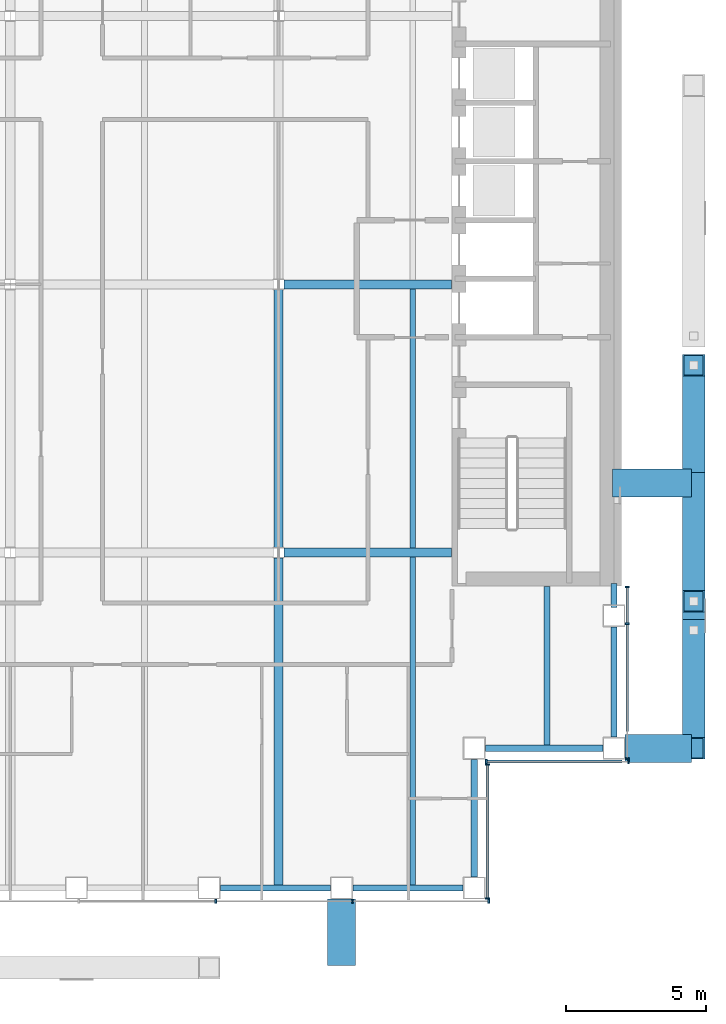
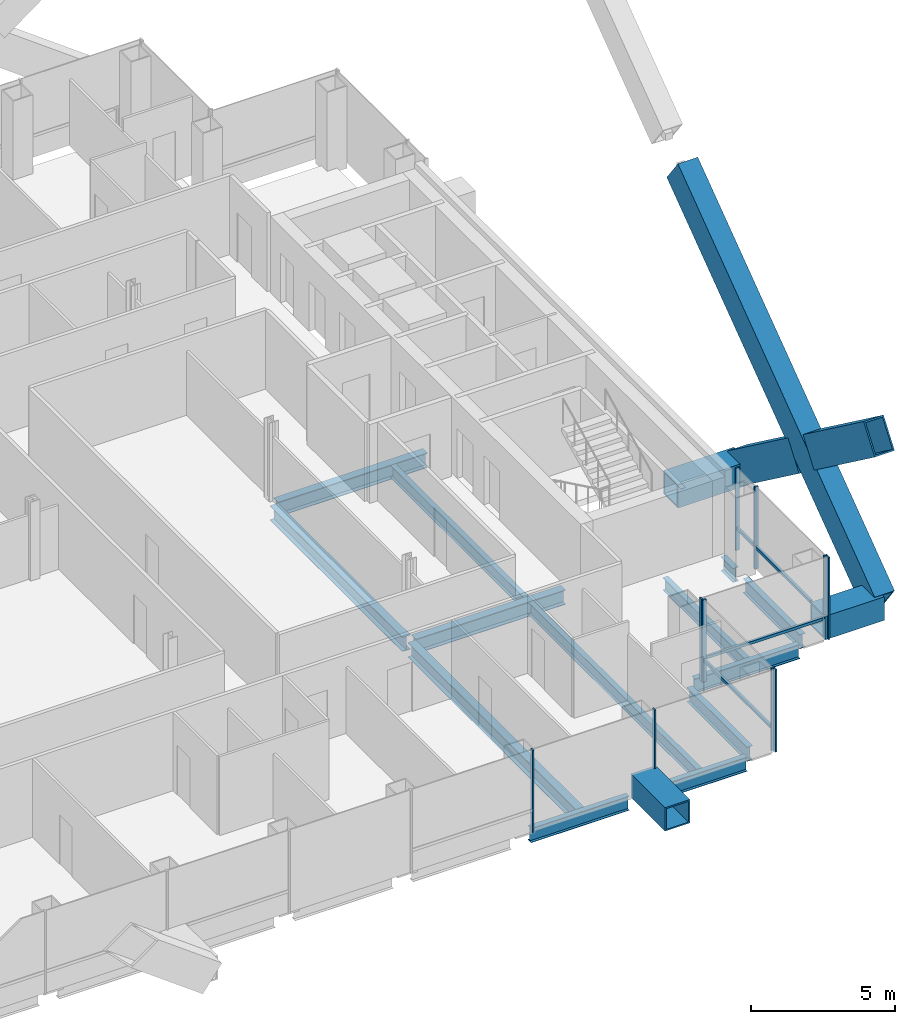
# One storey, part 6 of 18: 17 members, 16 beams, 4 elements without a shape of their own.
"""IFC4 building model written with IfcOpenShell, lengths in metres."""

import ifcopenshell
import ifcopenshell.guid

model = None  # the IFC model being written
_history = None  # IfcOwnerHistory: only IFC2X3 demands one
_inside = {}  # id of a spatial element -> (the spatial element, [elements in it])
_under = {}  # id of a project, library or spatial element -> (it, [spatial elements below it])
_declared = {}  # id of a project -> (the project, [libraries it declares])
_typed = {}  # id of a type object -> (the type object, [elements of that type])
_made_of = {}  # id of a material, layer set ... -> (it, [elements and type objects made of it])


def new_model(schema):
    """Start an empty IFC model of exactly this schema.

    Asked for "IFC4X3", IfcOpenShell would pick the latest addendum, in which some entities
    have other attributes; the version numbers below select the first issue.
    IFC2X3 requires an IfcOwnerHistory on every rooted entity: one is made here for all.
    """
    global model, _history
    if schema == "IFC4X3":
        model = ifcopenshell.file(schema_version=(4, 3, 0, 0))
    else:
        model = ifcopenshell.file(schema=schema)
    _inside.clear()
    _under.clear()
    _declared.clear()
    _typed.clear()
    _made_of.clear()
    _history = None
    if model.schema == "IFC2X3":
        org = make("IfcOrganization", Name="unknown")
        user = make(
            "IfcPersonAndOrganization",
            ThePerson=make("IfcPerson", FamilyName="unknown"),
            TheOrganization=org,
        )
        app = make(
            "IfcApplication",
            ApplicationDeveloper=org,
            Version="unknown",
            ApplicationFullName="unknown",
            ApplicationIdentifier="unknown",
        )
        _history = make(
            "IfcOwnerHistory",
            OwningUser=user,
            OwningApplication=app,
            ChangeAction="ADDED",
            CreationDate=0,
        )
    return model


def make(cls, **values):
    """One entity of the class cls with the attributes given. An attribute that is None is left unset."""
    return model.create_entity(
        cls, **{name: value for name, value in values.items() if value is not None}
    )


def rooted(cls, **values):
    """An entity with a GlobalId (a new one), such as an element, a storey or a relation."""
    return make(cls, GlobalId=ifcopenshell.guid.new(), OwnerHistory=_history, **values)


def si_unit(unit_type, name, prefix=None):
    """IfcSIUnit, for example si_unit("LENGTHUNIT", "METRE", prefix="MILLI")."""
    return make("IfcSIUnit", UnitType=unit_type, Prefix=prefix, Name=name)


def assignment(units):
    """IfcUnitAssignment: the units of a project."""
    return None if units is None else make("IfcUnitAssignment", Units=units)


def point(xyz):
    """IfcCartesianPoint."""
    return None if xyz is None else make("IfcCartesianPoint", Coordinates=xyz)


def direction(xyz):
    """IfcDirection."""
    return None if xyz is None else make("IfcDirection", DirectionRatios=xyz)


def frame(location, z_axis=None, x_axis=None):
    """IfcAxis2Placement3D, a coordinate frame: its origin and axes. An axis left out is left unset."""
    return make(
        "IfcAxis2Placement3D",
        Location=point(location),
        Axis=direction(z_axis),
        RefDirection=direction(x_axis),
    )


def frame_2d(location, x_axis=None):
    """IfcAxis2Placement2D, a coordinate frame in the plane: its origin and x axis."""
    return make(
        "IfcAxis2Placement2D", Location=point(location), RefDirection=direction(x_axis)
    )


def origin():
    """The frame at (0, 0, 0) with its axes left unset."""
    return frame((0.0, 0.0, 0.0))


def origin_2d():
    """The frame at (0, 0) in the plane with its x axis left unset."""
    return frame_2d((0.0, 0.0))


def place(relative_to, where):
    """IfcLocalPlacement: puts the frame where relative to a parent placement (None: the world)."""
    return make(
        "IfcLocalPlacement", PlacementRelTo=relative_to, RelativePlacement=where
    )


def context(
    kind, dimensions, precision=None, world=None, true_north=None, identifier=None
):
    """IfcGeometricRepresentationContext, for example the 3D "Model" context."""
    return make(
        "IfcGeometricRepresentationContext",
        ContextIdentifier=identifier,
        ContextType=kind,
        CoordinateSpaceDimension=dimensions,
        Precision=precision,
        WorldCoordinateSystem=world,
        TrueNorth=true_north,
    )


def subcontext(parent, identifier, kind, view, scale=None):
    """IfcGeometricRepresentationSubContext, for example "Body" below "Model"."""
    return make(
        "IfcGeometricRepresentationSubContext",
        ContextIdentifier=identifier,
        ContextType=kind,
        ParentContext=parent,
        TargetScale=scale,
        TargetView=view,
    )


def project(units=None, contexts=None):
    """IfcProject with its units and contexts."""
    return rooted(
        "IfcProject",
        Name="project",
        RepresentationContexts=contexts,
        UnitsInContext=assignment(units),
    )


def spatial(cls, under=None, at=None, **own):
    """A site, building, storey or space (cls), placed at a placement, below another one or the project."""
    s = rooted(cls, ObjectPlacement=at, **own)
    if under is not None:
        _under.setdefault(under.id(), (under, []))[1].append(s)
    return s


def profile(cls, at=None, kind="AREA", **sizes):
    """A parametric profile (cls). Its sizes go by their IFC names, for example OverallWidth=200.0."""
    return make(cls, ProfileType=kind, Position=at, **sizes)


def rectangle(**sizes):
    """IfcRectangleProfileDef."""
    return profile("IfcRectangleProfileDef", **sizes)


def hollow_rectangle(**sizes):
    """IfcRectangleHollowProfileDef."""
    return profile("IfcRectangleHollowProfileDef", **sizes)


def i_section(**sizes):
    """IfcIShapeProfileDef."""
    return profile("IfcIShapeProfileDef", **sizes)


def extrude(swept, where, along, depth):
    """IfcExtrudedAreaSolid: the profile swept, set in the frame where, extruded along a direction by depth."""
    return make(
        "IfcExtrudedAreaSolid",
        SweptArea=swept,
        Position=where,
        ExtrudedDirection=direction(along),
        Depth=depth,
    )


def shape(context_of_items, identifier, shape_type, items):
    """IfcShapeRepresentation: the items that make up one representation, for example the "Body"."""
    return make(
        "IfcShapeRepresentation",
        ContextOfItems=context_of_items,
        RepresentationIdentifier=identifier,
        RepresentationType=shape_type,
        Items=items,
    )


def material(Name=None, Category=None):
    """IfcMaterial."""
    return make("IfcMaterial", Name=Name, Category=Category)


def material_profile(
    of_material, cross_section, Name=None, Category=None, Priority=None
):
    """IfcMaterialProfile: a cross section and its material."""
    return make(
        "IfcMaterialProfile",
        Name=Name,
        Material=of_material,
        Profile=cross_section,
        Priority=Priority,
        Category=Category,
    )


def profile_set(profiles, Name=None, composite=None):
    """IfcMaterialProfileSet."""
    return make(
        "IfcMaterialProfileSet",
        Name=Name,
        MaterialProfiles=profiles,
        CompositeProfile=composite,
    )


def made_of(thing, what):
    """Note that an element or type object is made of a material, layer set ...; save() writes the relation."""
    if what is not None:
        _made_of.setdefault(what.id(), (what, []))[1].append(thing)
    return thing


def type_object(cls, material=None, **own):
    """A type object (cls), such as IfcWallType, which elements share."""
    return made_of(rooted(cls, **own), material)


def element(
    cls,
    number,
    at=None,
    inside=None,
    cuts=None,
    type_object=None,
    material=None,
    context=None,
    identifier="Body",
    shape_type=None,
    held_by="IfcProductDefinitionShape",
    body=None,
    shapes=None,
    **own,
):
    """One element of the class cls, such as IfcWall. Its Tag is "e" and its number.

    at: its placement. inside: the storey or other place that contains it. cuts: it is an
    opening in that element (IfcRelVoidsElement). A single representation is given by context,
    identifier, shape_type and body (its items); several are given by shapes. held_by: the class
    of the entity that holds the representations. save() writes the other relations.
    """
    e = rooted(cls, Tag="e%d" % number, ObjectPlacement=at, **own)
    if body is not None:
        shapes = [shape(context, identifier, shape_type, body)]
    if shapes is not None:
        e.Representation = make(held_by, Representations=shapes)
    if inside is not None:
        _inside.setdefault(inside.id(), (inside, []))[1].append(e)
    if cuts is not None:
        rooted(
            "IfcRelVoidsElement", RelatingBuildingElement=cuts, RelatedOpeningElement=e
        )
    if type_object is not None:
        _typed.setdefault(type_object.id(), (type_object, []))[1].append(e)
    return made_of(e, material)


def aggregate(whole, parts):
    """IfcRelAggregates: a whole, such as a stair, and the parts it consists of."""
    return rooted("IfcRelAggregates", RelatingObject=whole, RelatedObjects=parts)


def save(model, path):
    """Write the relations noted so far, then the file.

    IfcRelAggregates (storeys below a building ...), IfcRelContainedInSpatialStructure (elements
    in a storey), IfcRelDefinesByType, IfcRelAssociatesMaterial and IfcRelDeclares: one each for
    every whole, place, type object, material and project.
    """
    for whole, parts in _under.values():
        aggregate(whole, parts)
    for where, things in _inside.values():
        rooted(
            "IfcRelContainedInSpatialStructure",
            RelatedElements=things,
            RelatingStructure=where,
        )
    for kind, things in _typed.values():
        rooted("IfcRelDefinesByType", RelatedObjects=things, RelatingType=kind)
    for what, things in _made_of.values():
        rooted("IfcRelAssociatesMaterial", RelatedObjects=things, RelatingMaterial=what)
    for by, libraries in _declared.values():
        rooted("IfcRelDeclares", RelatingContext=by, RelatedDefinitions=libraries)
    model.write(path)


model = new_model("IFC4")

# Units and contexts
model_context = context("Model", 3, precision=1e-05, world=origin(), true_north=direction((0.0, 1.0)))
body_context = subcontext(model_context, "Body", "Model", "MODEL_VIEW")
ifc_project = project(units=[si_unit("LENGTHUNIT", "METRE"), si_unit("AREAUNIT", "SQUARE_METRE"), si_unit("VOLUMEUNIT", "CUBIC_METRE"), si_unit("PLANEANGLEUNIT", "RADIAN"), si_unit("MASSUNIT", "GRAM", prefix="KILO")], contexts=[model_context])

# Site, building, storey
site_placement = place(None, origin())
site = spatial("IfcSite", under=ifc_project, at=site_placement, CompositionType="ELEMENT")
building_placement = place(site_placement, origin())
building = spatial("IfcBuilding", under=site, at=building_placement, Name="Cobrizo Arcos Hotel Tower", CompositionType="ELEMENT")
storey_placement = place(building_placement, frame((0.0, 0.0, 165.5)))
storey = spatial("IfcBuildingStorey", under=building, at=storey_placement, Name="L42", CompositionType="ELEMENT", Elevation=165.5)

# Beams
ifc_material_1 = material(Name="Steel ASTM A572 Grade 50", Category="steel")
ifc_material_profile_1 = material_profile(ifc_material_1, hollow_rectangle(XDim=1.0, YDim=1.0, WallThickness=0.06005859375, at=origin_2d()), Name="BOX 1000X1000X60")
ifc_profile_set_1 = profile_set([ifc_material_profile_1], Name="Steel ASTM A572 Grade 50")
beam_type_1 = type_object("IfcBeamType", Name="BOX 1000X1000X60 brace connector strut", PredefinedType="BEAM", material=ifc_profile_set_1)
beam_1_placement = place(storey_placement, frame((21.989990234375, -16.60009765625, 0.5), z_axis=(1.0, 0.0, 0.0), x_axis=(0.0, 1.0, 0.0)))
element("IfcBeam", 1, at=beam_1_placement, inside=storey, type_object=beam_type_1, Name="Perimeter brace stub BS1, zone Z3, east face, offset -16.60 m, L42", PredefinedType="BEAM", context=body_context, shape_type="SweptSolid", body=[
    extrude(hollow_rectangle(XDim=1.0, YDim=1.0, WallThickness=0.06005859375, at=origin_2d()), origin(), (0.0, 0.0, 1.0), 2.380126953125),
])
beam_2_placement = place(storey_placement, frame((21.550048828125, -7.1142578125, 0.5), z_axis=(1.0, 0.0, 0.0), x_axis=(0.0, 1.0, 0.0)))
element("IfcBeam", 2, at=beam_2_placement, inside=storey, type_object=beam_type_1, Name="Perimeter brace stub BS1, zone Z3, east face, offset -7.11 m, L42", PredefinedType="BEAM", context=body_context, shape_type="SweptSolid", body=[
    extrude(hollow_rectangle(XDim=1.0, YDim=1.0, WallThickness=0.06005859375, at=origin_2d()), origin(), (0.0, 0.0, 1.0), 2.820068359375),
])
beam_3_placement = place(storey_placement, frame((11.857177734375, -21.989990234375, 0.5), z_axis=(0.0, -1.0, 0.0), x_axis=(1.0, 0.0, 0.0)))
element("IfcBeam", 3, at=beam_3_placement, inside=storey, type_object=beam_type_1, Name="Perimeter brace stub BS1, zone Z3, south face, offset +11.86 m, L42", PredefinedType="BEAM", context=body_context, shape_type="SweptSolid", body=[
    extrude(hollow_rectangle(XDim=1.0, YDim=1.0, WallThickness=0.06005859375, at=origin_2d()), origin(), (0.0, 0.0, 1.0), 2.380126953125),
])

# Members
ifc_material_profile_2 = material_profile(ifc_material_1, hollow_rectangle(XDim=0.800048828125, YDim=1.300048828125, WallThickness=0.06005859375, at=origin_2d()), Name="BOX 800X1300X60")
ifc_profile_set_2 = profile_set([ifc_material_profile_2], Name="Steel ASTM A572 Grade 50")
member_type_1 = type_object("IfcMemberType", Name="BOX 800X1300X60 perimeter brace", PredefinedType="BRACE", material=ifc_profile_set_2)
member_1_placement = place(storey_placement, frame((24.449951171875, -16.60009765625, 0.5), z_axis=(0.0, 0.804630166974, 0.593776299961), x_axis=(-1.0, 0.0, 0.0)))
element("IfcMember", 4, at=member_1_placement, inside=storey, type_object=member_type_1, Name="Perimeter brace PBR3, zone Z3, east face, no. 10", PredefinedType="BRACE", context=body_context, shape_type="SweptSolid", body=[
    extrude(hollow_rectangle(XDim=0.800048828125, YDim=1.300048828125, WallThickness=0.06005859375, at=origin_2d()), origin(), (0.0, 0.0, 1.0), 17.033447265625),
])
for number, where, z_axis, x_axis, name in (
    (5, (24.449951171875, -7.1142578125, 0.5), (0.0, -0.804623858684, 0.593784848271), (1.0, 0.0, 0.0), "Perimeter brace PBR3, zone Z3, east face, no. 11"),
    (6, (24.449951171875, -12.38037109375, 4.385986328125), (0.0, -0.804623858684, 0.593784848271), (1.0, 0.0, 0.0), "Perimeter brace PBR3, zone Z3, east face, no. 11b"),
):
    element("IfcMember", number, at=place(storey_placement, frame(where, z_axis=z_axis, x_axis=x_axis)), inside=storey, type_object=member_type_1, Name=name, PredefinedType="BRACE", context=body_context, shape_type="SweptSolid", body=[
        extrude(hollow_rectangle(XDim=0.800048828125, YDim=1.300048828125, WallThickness=0.06005859375, at=origin_2d()), origin(), (0.0, 0.0, 1.0), 5.244384765625),
    ])

# Curtain wall, members
ifc_material_2 = material(Name="Aluminium 6063-T6 anodised bronze", Category="aluminium")
curtain_wall_type = type_object("IfcCurtainWallType", Name="CW-A guest facade", PredefinedType="NOTDEFINED", material=ifc_material_2)
curtain_wall_1_placement = place(storey_placement, origin())
curtain_wall_1 = element("IfcCurtainWall", 7, at=curtain_wall_1_placement, inside=storey, type_object=curtain_wall_type, Name="CW-A L42 S face", PredefinedType="NOTDEFINED")
ifc_material_profile_3 = material_profile(ifc_material_2, rectangle(XDim=0.14990234375, YDim=0.06005859375, at=origin_2d()), Name="CW-A mullion 150x60")
ifc_profile_set_3 = profile_set([ifc_material_profile_3], Name="Aluminium 6063-T6 anodised bronze")
member_type_2 = type_object("IfcMemberType", Name="CW-A mullion 150x60", PredefinedType="MULLION", material=ifc_profile_set_3)
member_2_placement = place(storey_placement, frame((7.35009765625, -22.074951171875, 0.0), z_axis=(0.0, 0.0, 1.0), x_axis=(0.0, -1.0, 0.0)))
member_2 = element("IfcMember", 8, at=member_2_placement, type_object=member_type_2, Name="CW-A mullion 6", PredefinedType="MULLION", context=body_context, shape_type="SweptSolid", body=[
    extrude(rectangle(XDim=0.14990234375, YDim=0.06005859375, at=origin_2d()), origin(), (0.0, 0.0, 1.0), 3.5),
])
member_3_placement = place(storey_placement, frame((12.25, -22.074951171875, 0.0), z_axis=(0.0, 0.0, 1.0), x_axis=(0.0, -1.0, 0.0)))
member_3 = element("IfcMember", 9, at=member_3_placement, type_object=member_type_2, Name="CW-A mullion 7", PredefinedType="MULLION", context=body_context, shape_type="SweptSolid", body=[
    extrude(rectangle(XDim=0.14990234375, YDim=0.06005859375, at=origin_2d()), origin(), (0.0, 0.0, 1.0), 3.5),
])
member_4_placement = place(storey_placement, frame((17.1201171875, -22.074951171875, 0.0), z_axis=(0.0, 0.0, 1.0), x_axis=(0.0, -1.0, 0.0)))
member_4 = element("IfcMember", 10, at=member_4_placement, type_object=member_type_2, Name="CW-A mullion 8", PredefinedType="MULLION", context=body_context, shape_type="SweptSolid", body=[
    extrude(rectangle(XDim=0.14990234375, YDim=0.06005859375, at=origin_2d()), origin(), (0.0, 0.0, 1.0), 3.5),
])
aggregate(curtain_wall_1, [member_2, member_3, member_4])

curtain_wall_2_placement = place(storey_placement, origin())
curtain_wall_2 = element("IfcCurtainWall", 11, at=curtain_wall_2_placement, inside=storey, type_object=curtain_wall_type, Name="CW-A L42 E face", PredefinedType="NOTDEFINED")
member_5_placement = place(storey_placement, frame((17.074951171875, -21.969970703125, 0.0), z_axis=(0.0, 0.0, 1.0), x_axis=(1.0, 0.0, 0.0)))
member_5 = element("IfcMember", 12, at=member_5_placement, type_object=member_type_2, Name="CW-A mullion 1", PredefinedType="MULLION", context=body_context, shape_type="SweptSolid", body=[
    extrude(rectangle(XDim=0.14990234375, YDim=0.06005859375, at=origin_2d()), origin(), (0.0, 0.0, 1.0), 3.5),
])
member_6_placement = place(storey_placement, frame((17.074951171875, -17.179931640625, 0.0), z_axis=(0.0, 0.0, 1.0), x_axis=(1.0, 0.0, 0.0)))
member_6 = element("IfcMember", 13, at=member_6_placement, type_object=member_type_2, Name="CW-A mullion 2", PredefinedType="MULLION", context=body_context, shape_type="SweptSolid", body=[
    extrude(rectangle(XDim=0.14990234375, YDim=0.06005859375, at=origin_2d()), origin(), (0.0, 0.0, 1.0), 3.5),
])

curtain_wall_3_placement = place(storey_placement, origin())
curtain_wall_3 = element("IfcCurtainWall", 14, at=curtain_wall_3_placement, inside=storey, type_object=curtain_wall_type, Name="CW-A L42 S face", PredefinedType="NOTDEFINED")
member_7_placement = place(storey_placement, frame((17.030029296875, -17.074951171875, 0.0), z_axis=(0.0, 0.0, 1.0), x_axis=(0.0, -1.0, 0.0)))
member_7 = element("IfcMember", 15, at=member_7_placement, type_object=member_type_2, Name="CW-A mullion 1", PredefinedType="MULLION", context=body_context, shape_type="SweptSolid", body=[
    extrude(rectangle(XDim=0.14990234375, YDim=0.06005859375, at=origin_2d()), origin(), (0.0, 0.0, 1.0), 3.5),
])
member_8_placement = place(storey_placement, frame((22.1201171875, -17.074951171875, 0.0), z_axis=(0.0, 0.0, 1.0), x_axis=(0.0, -1.0, 0.0)))
member_8 = element("IfcMember", 16, at=member_8_placement, type_object=member_type_2, Name="CW-A mullion 2", PredefinedType="MULLION", context=body_context, shape_type="SweptSolid", body=[
    extrude(rectangle(XDim=0.14990234375, YDim=0.06005859375, at=origin_2d()), origin(), (0.0, 0.0, 1.0), 3.5),
])

curtain_wall_4_placement = place(storey_placement, origin())
curtain_wall_4 = element("IfcCurtainWall", 17, at=curtain_wall_4_placement, inside=storey, type_object=curtain_wall_type, Name="CW-A L42 E face", PredefinedType="NOTDEFINED")
member_9_placement = place(storey_placement, frame((22.074951171875, -16.969970703125, 0.0), z_axis=(0.0, 0.0, 1.0), x_axis=(1.0, 0.0, 0.0)))
member_9 = element("IfcMember", 18, at=member_9_placement, type_object=member_type_2, Name="CW-A mullion 1", PredefinedType="MULLION", context=body_context, shape_type="SweptSolid", body=[
    extrude(rectangle(XDim=0.14990234375, YDim=0.06005859375, at=origin_2d()), origin(), (0.0, 0.0, 1.0), 3.5),
])
member_10_placement = place(storey_placement, frame((22.074951171875, -12.142822265625, 0.0), z_axis=(0.0, 0.0, 1.0), x_axis=(1.0, 0.0, 0.0)))
member_10 = element("IfcMember", 19, at=member_10_placement, type_object=member_type_2, Name="CW-A mullion 2", PredefinedType="MULLION", context=body_context, shape_type="SweptSolid", body=[
    extrude(rectangle(XDim=0.14990234375, YDim=0.06005859375, at=origin_2d()), origin(), (0.0, 0.0, 1.0), 3.5),
])
member_11_placement = place(storey_placement, frame((22.074951171875, -10.830078125, 0.0), z_axis=(0.0, 0.0, 1.0), x_axis=(1.0, 0.0, 0.0)))
member_11 = element("IfcMember", 20, at=member_11_placement, type_object=member_type_2, Name="CW-A mullion 3", PredefinedType="MULLION", context=body_context, shape_type="SweptSolid", body=[
    extrude(rectangle(XDim=0.14990234375, YDim=0.06005859375, at=origin_2d()), origin(), (0.0, 0.0, 1.0), 3.5),
])

# Member
ifc_material_profile_4 = material_profile(ifc_material_2, rectangle(XDim=0.10009765625, YDim=0.1201171875, at=origin_2d()), Name="CW-A transom 120x100")
ifc_profile_set_4 = profile_set([ifc_material_profile_4], Name="Aluminium 6063-T6 anodised bronze")
member_type_3 = type_object("IfcMemberType", Name="CW-A transom 120x100", PredefinedType="USERDEFINED", material=ifc_profile_set_4)
member_12_placement = place(storey_placement, frame((17.074951171875, -21.93994140625, 0.929931640625), z_axis=(0.0, 1.0, 0.0), x_axis=(-1.0, 0.0, 0.0)))
member_12 = element("IfcMember", 21, at=member_12_placement, type_object=member_type_3, Name="CW-A transom 1493", ObjectType="TRANSOM", PredefinedType="USERDEFINED", context=body_context, shape_type="SweptSolid", body=[
    extrude(rectangle(XDim=0.10009765625, YDim=0.1201171875, at=origin_2d()), origin(), (0.0, 0.0, 1.0), 4.72998046875),
])

aggregate(curtain_wall_2, [member_5, member_6, member_12])

member_13_placement = place(storey_placement, frame((17.06005859375, -17.074951171875, 0.929931640625), z_axis=(1.0, 0.0, 0.0), x_axis=(0.0, 1.0, 0.0)))
member_13 = element("IfcMember", 22, at=member_13_placement, type_object=member_type_3, Name="CW-A transom 1494", ObjectType="TRANSOM", PredefinedType="USERDEFINED", context=body_context, shape_type="SweptSolid", body=[
    extrude(rectangle(XDim=0.10009765625, YDim=0.1201171875, at=origin_2d()), origin(), (0.0, 0.0, 1.0), 4.829833984375),
])

aggregate(curtain_wall_3, [member_7, member_8, member_13])

member_14_placement = place(storey_placement, frame((22.074951171875, -16.0, 0.929931640625), z_axis=(0.0, 1.0, 0.0), x_axis=(-1.0, 0.0, 0.0)))
member_14 = element("IfcMember", 23, at=member_14_placement, type_object=member_type_3, Name="CW-A transom 1495", ObjectType="TRANSOM", PredefinedType="USERDEFINED", context=body_context, shape_type="SweptSolid", body=[
    extrude(rectangle(XDim=0.10009765625, YDim=0.1201171875, at=origin_2d()), origin(), (0.0, 0.0, 1.0), 3.8271484375),
])

member_15_placement = place(storey_placement, frame((22.074951171875, -12.11279296875, 0.929931640625), z_axis=(0.0, 1.0, 0.0), x_axis=(-1.0, 0.0, 0.0)))
member_15 = element("IfcMember", 24, at=member_15_placement, type_object=member_type_3, Name="CW-A transom 1496", ObjectType="TRANSOM", PredefinedType="USERDEFINED", context=body_context, shape_type="SweptSolid", body=[
    extrude(rectangle(XDim=0.10009765625, YDim=0.1201171875, at=origin_2d()), origin(), (0.0, 0.0, 1.0), 1.252685546875),
])

aggregate(curtain_wall_4, [member_9, member_10, member_11, member_14, member_15])

# Beams
ifc_material_3 = material(Name="Steel ASTM A992 Grade 50", Category="steel")
ifc_material_profile_5 = material_profile(ifc_material_3, i_section(OverallWidth=0.209228515625, OverallDepth=0.533447265625, WebThickness=0.01025390625, FlangeThickness=0.015625, at=origin_2d()), Name="W21X62")
ifc_profile_set_5 = profile_set([ifc_material_profile_5], Name="Steel ASTM A992 Grade 50")
beam_type_2 = type_object("IfcBeamType", Name="W21X62 joist", PredefinedType="JOIST", material=ifc_profile_set_5)
beam_4_placement = place(storey_placement, frame((14.39990234375, -21.510009765625, -0.416748046875), z_axis=(0.0, 1.0, 0.0), x_axis=(-1.0, 0.0, 0.0)))
element("IfcBeam", 25, at=beam_4_placement, inside=storey, type_object=beam_type_2, Name="Floor joist J1, L42, no. 015", PredefinedType="JOIST", context=body_context, shape_type="SweptSolid", body=[
    extrude(i_section(OverallWidth=0.209228515625, OverallDepth=0.533447265625, WebThickness=0.01025390625, FlangeThickness=0.015625, at=origin_2d()), origin(), (0.0, 0.0, 1.0), 11.74609375),
])
beam_5_placement = place(storey_placement, frame((14.39990234375, -9.43603515625, -0.416748046875), z_axis=(0.0, 1.0, 0.0), x_axis=(-1.0, 0.0, 0.0)))
element("IfcBeam", 26, at=beam_5_placement, inside=storey, type_object=beam_type_2, Name="Floor joist J1, L42, no. 016", PredefinedType="JOIST", context=body_context, shape_type="SweptSolid", body=[
    extrude(i_section(OverallWidth=0.209228515625, OverallDepth=0.533447265625, WebThickness=0.01025390625, FlangeThickness=0.015625, at=origin_2d()), origin(), (0.0, 0.0, 1.0), 9.272216796875),
])
beam_6_placement = place(storey_placement, frame((19.199951171875, -16.510009765625, -0.416748046875), z_axis=(0.0, 1.0, 0.0), x_axis=(-1.0, 0.0, 0.0)))
element("IfcBeam", 27, at=beam_6_placement, inside=storey, type_object=beam_type_2, Name="Floor joist J1, L42, no. 019", PredefinedType="JOIST", context=body_context, shape_type="SweptSolid", body=[
    extrude(i_section(OverallWidth=0.209228515625, OverallDepth=0.533447265625, WebThickness=0.01025390625, FlangeThickness=0.015625, at=origin_2d()), origin(), (0.0, 0.0, 1.0), 5.699951171875),
])
ifc_material_profile_6 = material_profile(ifc_material_3, i_section(OverallWidth=0.32763671875, OverallDepth=0.622314453125, WebThickness=0.015380859375, FlangeThickness=0.0244140625, at=origin_2d()), Name="W24X131")
ifc_profile_set_6 = profile_set([ifc_material_profile_6], Name="Steel ASTM A992 Grade 50")
beam_type_3 = type_object("IfcBeamType", Name="W24X131 girder", PredefinedType="BEAM", material=ifc_profile_set_6)
for number, where, z_axis, x_axis, name in (
    (28, (9.78662109375, -9.60009765625, -0.461181640625), (1.0, 0.0, 0.0), (0.0, 1.0, 0.0), "Floor girder G1, L42, no. 004"),
    (29, (9.78662109375, 0.0, -0.461181640625), (1.0, 0.0, 0.0), (0.0, 1.0, 0.0), "Floor girder G1, L42, no. 008"),
):
    element("IfcBeam", number, at=place(storey_placement, frame(where, z_axis=z_axis, x_axis=x_axis)), inside=storey, type_object=beam_type_3, Name=name, PredefinedType="BEAM", context=body_context, shape_type="SweptSolid", body=[
        extrude(i_section(OverallWidth=0.32763671875, OverallDepth=0.622314453125, WebThickness=0.015380859375, FlangeThickness=0.0244140625, at=origin_2d()), origin(), (0.0, 0.0, 1.0), 6.00341796875),
    ])
beam_7_placement = place(storey_placement, frame((9.60009765625, -21.510009765625, -0.461181640625), z_axis=(0.0, 1.0, 0.0), x_axis=(-1.0, 0.0, 0.0)))
element("IfcBeam", 30, at=beam_7_placement, inside=storey, type_object=beam_type_3, Name="Floor girder G1, L42, no. 021", PredefinedType="BEAM", context=body_context, shape_type="SweptSolid", body=[
    extrude(i_section(OverallWidth=0.32763671875, OverallDepth=0.622314453125, WebThickness=0.015380859375, FlangeThickness=0.0244140625, at=origin_2d()), origin(), (0.0, 0.0, 1.0), 11.723388671875),
])
beam_8_placement = place(storey_placement, frame((9.60009765625, -9.413330078125, -0.461181640625), z_axis=(0.0, 1.0, 0.0), x_axis=(-1.0, 0.0, 0.0)))
element("IfcBeam", 31, at=beam_8_placement, inside=storey, type_object=beam_type_3, Name="Floor girder G1, L42, no. 022", PredefinedType="BEAM", context=body_context, shape_type="SweptSolid", body=[
    extrude(i_section(OverallWidth=0.32763671875, OverallDepth=0.622314453125, WebThickness=0.015380859375, FlangeThickness=0.0244140625, at=origin_2d()), origin(), (0.0, 0.0, 1.0), 9.2265625),
])
ifc_material_profile_7 = material_profile(ifc_material_3, i_section(OverallWidth=0.228271484375, OverallDepth=0.607177734375, WebThickness=0.01123046875, FlangeThickness=0.017333984375, at=origin_2d()), Name="W24X76")
ifc_profile_set_7 = profile_set([ifc_material_profile_7], Name="Steel ASTM A992 Grade 50")
beam_type_4 = type_object("IfcBeamType", Name="W24X76 spandrel", PredefinedType="SPANDREL", material=ifc_profile_set_7)
beam_9_placement = place(storey_placement, frame((7.513916015625, -21.60009765625, -0.45361328125), z_axis=(1.0, 0.0, 0.0), x_axis=(0.0, 1.0, 0.0)))
element("IfcBeam", 32, at=beam_9_placement, inside=storey, type_object=beam_type_4, Name="Spandrel beam W24X76, L42, no. 006", PredefinedType="SPANDREL", context=body_context, shape_type="SweptSolid", body=[
    extrude(i_section(OverallWidth=0.228271484375, OverallDepth=0.607177734375, WebThickness=0.01123046875, FlangeThickness=0.017333984375, at=origin_2d()), origin(), (0.0, 0.0, 1.0), 3.943115234375),
])
beam_10_placement = place(storey_placement, frame((12.257080078125, -21.60009765625, -0.45361328125), z_axis=(1.0, 0.0, 0.0), x_axis=(0.0, 1.0, 0.0)))
element("IfcBeam", 33, at=beam_10_placement, inside=storey, type_object=beam_type_4, Name="Spandrel beam W24X76, L42, no. 007", PredefinedType="SPANDREL", context=body_context, shape_type="SweptSolid", body=[
    extrude(i_section(OverallWidth=0.228271484375, OverallDepth=0.607177734375, WebThickness=0.01123046875, FlangeThickness=0.017333984375, at=origin_2d()), origin(), (0.0, 0.0, 1.0), 3.94287109375),
])
for number, where, z_axis, x_axis, name in (
    (34, (16.60009765625, -21.199951171875, -0.45361328125), (0.0, 1.0, 0.0), (-1.0, 0.0, 0.0), "Spandrel beam W24X76, L42, no. 008"),
    (35, (17.0, -16.60009765625, -0.45361328125), (1.0, 0.0, 0.0), (0.0, 1.0, 0.0), "Spandrel beam W24X76, L42, no. 009"),
):
    element("IfcBeam", number, at=place(storey_placement, frame(where, z_axis=z_axis, x_axis=x_axis)), inside=storey, type_object=beam_type_4, Name=name, PredefinedType="SPANDREL", context=body_context, shape_type="SweptSolid", body=[
        extrude(i_section(OverallWidth=0.228271484375, OverallDepth=0.607177734375, WebThickness=0.01123046875, FlangeThickness=0.017333984375, at=origin_2d()), origin(), (0.0, 0.0, 1.0), 4.199951171875),
    ])
beam_11_placement = place(storey_placement, frame((21.60009765625, -16.199951171875, -0.45361328125), z_axis=(0.0, 1.0, 0.0), x_axis=(-1.0, 0.0, 0.0)))
element("IfcBeam", 36, at=beam_11_placement, inside=storey, type_object=beam_type_4, Name="Spandrel beam W24X76, L42, no. 010", PredefinedType="SPANDREL", context=body_context, shape_type="SweptSolid", body=[
    extrude(i_section(OverallWidth=0.228271484375, OverallDepth=0.607177734375, WebThickness=0.01123046875, FlangeThickness=0.017333984375, at=origin_2d()), origin(), (0.0, 0.0, 1.0), 3.94287109375),
])
beam_12_placement = place(storey_placement, frame((21.60009765625, -11.556884765625, -0.45361328125), z_axis=(0.0, 1.0, 0.0), x_axis=(-1.0, 0.0, 0.0)))
element("IfcBeam", 37, at=beam_12_placement, inside=storey, type_object=beam_type_4, Name="Spandrel beam W24X76, L42, no. 011", PredefinedType="SPANDREL", context=body_context, shape_type="SweptSolid", body=[
    extrude(i_section(OverallWidth=0.228271484375, OverallDepth=0.607177734375, WebThickness=0.01123046875, FlangeThickness=0.017333984375, at=origin_2d()), origin(), (0.0, 0.0, 1.0), 0.846923828125),
])

save(model, "model.ifc")
